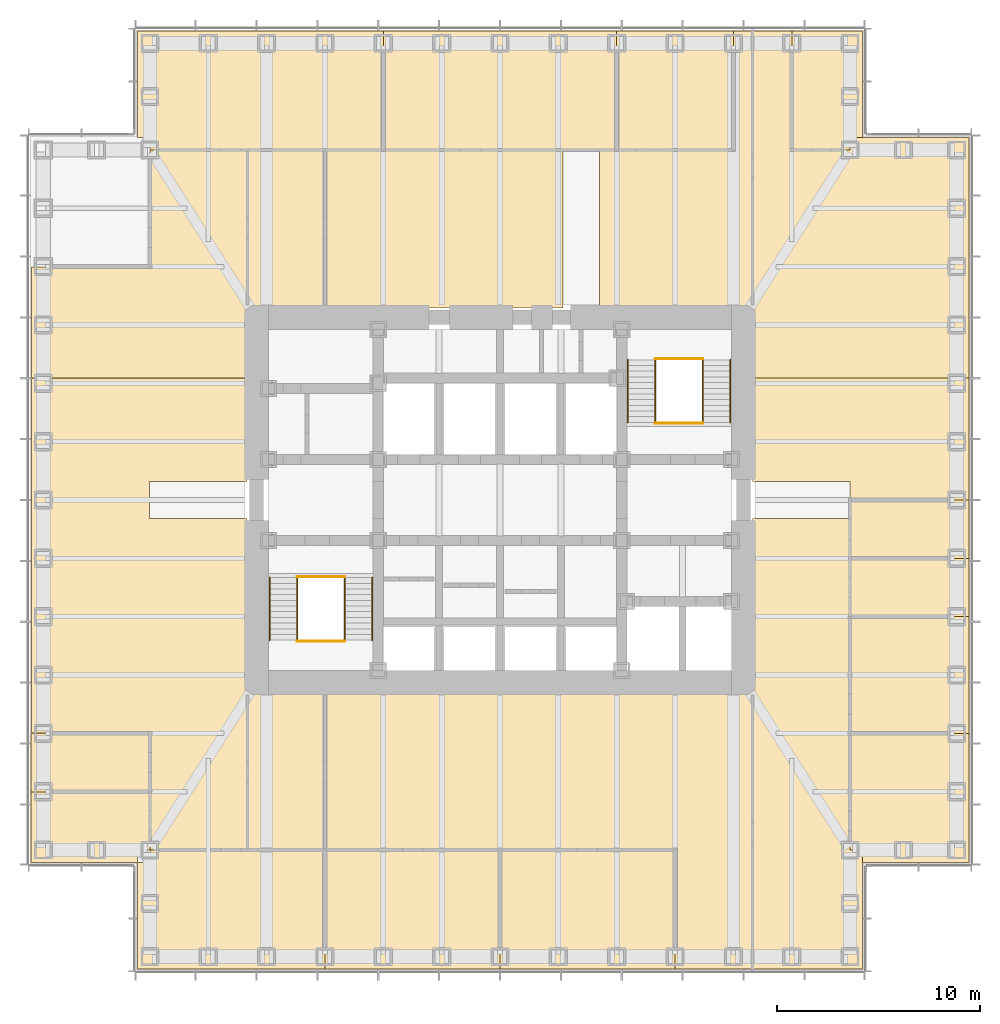
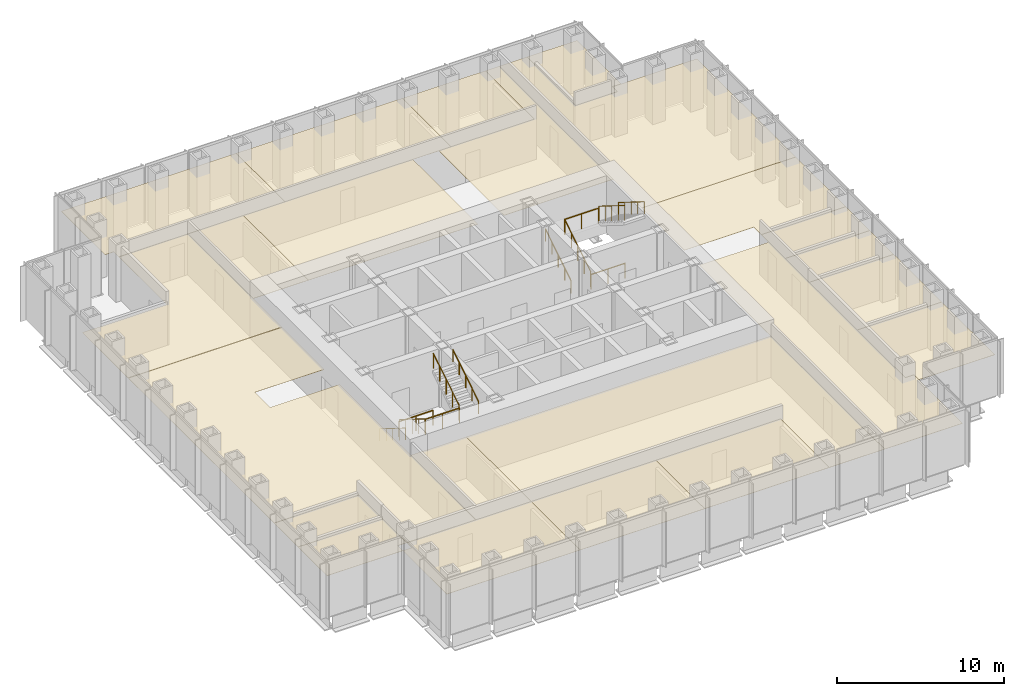
# One storey, part 17 of 17: 23 coverings, 12 railings.
"""IFC4 building model written with IfcOpenShell, lengths in metres."""

from ifc_helpers import new_model, si_unit, direction, frame, origin, origin_2d, place, context, subcontext, project, spatial, polyline, circle, outline, extrude, material, layer, layer_set, type_object, element, save


model = new_model("IFC4")

# Units and contexts
model_context = context("Model", 3, precision=1e-05, world=origin(), true_north=direction((0.0, 1.0)))
body_context = subcontext(model_context, "Body", "Model", "MODEL_VIEW")
ifc_project = project(units=[si_unit("LENGTHUNIT", "METRE"), si_unit("AREAUNIT", "SQUARE_METRE"), si_unit("VOLUMEUNIT", "CUBIC_METRE"), si_unit("PLANEANGLEUNIT", "RADIAN"), si_unit("MASSUNIT", "GRAM", prefix="KILO")], contexts=[model_context])

# Site, building, storey
site_placement = place(None, origin())
site = spatial("IfcSite", under=ifc_project, at=site_placement, CompositionType="ELEMENT")
building_placement = place(site_placement, origin())
building = spatial("IfcBuilding", under=site, at=building_placement, Name="Daluyong Arena Tower", CompositionType="ELEMENT")
storey_placement = place(building_placement, frame((0.0, 0.0, 171.10009765625)))
storey = spatial("IfcBuildingStorey", under=building, at=storey_placement, Name="L38", CompositionType="ELEMENT", Elevation=171.10009765625)

# Coverings
ifc_material_1 = material(Name="Mineral fibre ceiling tile", Category="gypsum board")
ifc_layer = layer(ifc_material_1, 0.02001953125)
ifc_layer_set = layer_set([ifc_layer], Name="Mineral fibre ceiling tile")
covering_type = type_object("IfcCoveringType", Name="Office ceiling", PredefinedType="CEILING", material=ifc_layer_set)
covering_1_placement = place(storey_placement, frame((0.0, 0.0, 2.89990234375)))
element("IfcCovering", 1, at=covering_1_placement, inside=storey, type_object=covering_type, Name="ceiling L38-01", PredefinedType="CEILING", context=body_context, shape_type="SweptSolid", body=[
    extrude(outline(polyline([(38.14990234375, 62.14990234375), (38.14990234375, 56.89990234375), (47.375, 56.89990234375), (47.375, 62.75), (38.75, 62.75), (38.75, 62.14990234375), (38.14990234375, 62.14990234375)])), origin(), (0.0, 0.0, 1.0), 0.02001953125),
])
covering_2_placement = place(storey_placement, frame((0.0, 0.0, 2.89990234375)))
element("IfcCovering", 2, at=covering_2_placement, inside=storey, type_object=covering_type, Name="ceiling L38-02", PredefinedType="CEILING", context=body_context, shape_type="SweptSolid", body=[
    extrude(outline(polyline([(47.375, 62.75), (47.375, 56.89990234375), (56.0, 56.89990234375), (56.0, 62.75), (47.375, 62.75)])), origin(), (0.0, 0.0, 1.0), 0.02001953125),
])
covering_3_placement = place(storey_placement, frame((0.0, 0.0, 2.89990234375)))
element("IfcCovering", 3, at=covering_3_placement, inside=storey, type_object=covering_type, Name="ceiling L38-03", PredefinedType="CEILING", context=body_context, shape_type="SweptSolid", body=[
    extrude(outline(polyline([(56.0, 62.75), (56.0, 56.89990234375), (64.625, 56.89990234375), (64.625, 62.75), (56.0, 62.75)])), origin(), (0.0, 0.0, 1.0), 0.02001953125),
])
covering_4_placement = place(storey_placement, frame((0.0, 0.0, 2.89990234375)))
element("IfcCovering", 4, at=covering_4_placement, inside=storey, type_object=covering_type, Name="ceiling L38-04", PredefinedType="CEILING", context=body_context, shape_type="SweptSolid", body=[
    extrude(outline(polyline([(73.85009765625, 62.14990234375), (79.10009765625, 62.14990234375), (79.10009765625, 68.5), (73.25, 68.5), (73.25, 62.75), (73.85009765625, 62.75), (73.85009765625, 62.14990234375)])), origin(), (0.0, 0.0, 1.0), 0.02001953125),
])
covering_5_placement = place(storey_placement, frame((0.0, 0.0, 2.89990234375)))
element("IfcCovering", 5, at=covering_5_placement, inside=storey, type_object=covering_type, Name="ceiling L38-05", PredefinedType="CEILING", context=body_context, shape_type="SweptSolid", body=[
    extrude(outline(polyline([(73.25, 68.5), (79.10009765625, 68.5), (79.10009765625, 74.25), (73.25, 74.25), (73.25, 68.5)])), origin(), (0.0, 0.0, 1.0), 0.02001953125),
])
covering_6_placement = place(storey_placement, frame((0.0, 0.0, 2.89990234375)))
element("IfcCovering", 6, at=covering_6_placement, inside=storey, type_object=covering_type, Name="ceiling L38-06", PredefinedType="CEILING", context=body_context, shape_type="SweptSolid", body=[
    extrude(outline(polyline([(73.25, 74.25), (79.10009765625, 74.25), (79.10009765625, 77.125), (73.25, 77.125), (73.25, 74.25)])), origin(), (0.0, 0.0, 1.0), 0.02001953125),
])
covering_7_placement = place(storey_placement, frame((0.0, 0.0, 2.89990234375)))
element("IfcCovering", 7, at=covering_7_placement, inside=storey, type_object=covering_type, Name="ceiling L38-07", PredefinedType="CEILING", context=body_context, shape_type="SweptSolid", body=[
    extrude(outline(polyline([(73.25, 77.125), (79.10009765625, 77.125), (79.10009765625, 80.0), (73.25, 80.0), (73.25, 77.125)])), origin(), (0.0, 0.0, 1.0), 0.02001953125),
])
covering_8_placement = place(storey_placement, frame((0.0, 0.0, 2.89990234375)))
element("IfcCovering", 8, at=covering_8_placement, inside=storey, type_object=covering_type, Name="ceiling L38-08", PredefinedType="CEILING", context=body_context, shape_type="SweptSolid", body=[
    extrude(outline(polyline([(50.25, 97.25), (50.25, 103.10009765625), (38.14990234375, 103.10009765625), (38.14990234375, 97.85009765625), (38.75, 97.85009765625), (38.75, 97.25), (50.25, 97.25)])), origin(), (0.0, 0.0, 1.0), 0.02001953125),
])
covering_9_placement = place(storey_placement, frame((0.0, 0.0, 2.89990234375)))
element("IfcCovering", 9, at=covering_9_placement, inside=storey, type_object=covering_type, Name="ceiling L38-09", PredefinedType="CEILING", context=body_context, shape_type="SweptSolid", body=[
    extrude(outline(polyline([(61.75, 97.25), (61.75, 103.10009765625), (50.25, 103.10009765625), (50.25, 97.25), (61.75, 97.25)])), origin(), (0.0, 0.0, 1.0), 0.02001953125),
])
covering_10_placement = place(storey_placement, frame((0.0, 0.0, 2.89990234375)))
element("IfcCovering", 10, at=covering_10_placement, inside=storey, type_object=covering_type, Name="ceiling L38-10", PredefinedType="CEILING", context=body_context, shape_type="SweptSolid", body=[
    extrude(outline(polyline([(67.5, 97.25), (67.5, 103.10009765625), (61.75, 103.10009765625), (61.75, 97.25), (67.5, 97.25)])), origin(), (0.0, 0.0, 1.0), 0.02001953125),
])
covering_11_placement = place(storey_placement, frame((0.0, 0.0, 2.89990234375)))
element("IfcCovering", 11, at=covering_11_placement, inside=storey, type_object=covering_type, Name="ceiling L38-11", PredefinedType="CEILING", context=body_context, shape_type="SweptSolid", body=[
    extrude(outline(polyline([(70.375, 97.25), (73.25, 97.25), (73.25, 97.85009765625), (73.85009765625, 97.85009765625), (73.85009765625, 103.10009765625), (70.375, 103.10009765625), (70.375, 97.25)])), origin(), (0.0, 0.0, 1.0), 0.02001953125),
])
covering_12_placement = place(storey_placement, frame((0.0, 0.0, 2.89990234375)))
element("IfcCovering", 12, at=covering_12_placement, inside=storey, type_object=covering_type, Name="ceiling L38-12", PredefinedType="CEILING", context=body_context, shape_type="SweptSolid", body=[
    extrude(outline(polyline([(32.89990234375, 62.14990234375), (38.14990234375, 62.14990234375), (38.14990234375, 62.75), (38.75, 62.75), (38.75, 65.625), (32.89990234375, 65.625), (32.89990234375, 62.14990234375)])), origin(), (0.0, 0.0, 1.0), 0.02001953125),
])
covering_13_placement = place(storey_placement, frame((0.0, 0.0, 2.89990234375)))
element("IfcCovering", 13, at=covering_13_placement, inside=storey, type_object=covering_type, Name="ceiling L38-13", PredefinedType="CEILING", context=body_context, shape_type="SweptSolid", body=[
    extrude(outline(polyline([(38.75, 68.5), (32.89990234375, 68.5), (32.89990234375, 65.625), (38.75, 65.625), (38.75, 68.5)])), origin(), (0.0, 0.0, 1.0), 0.02001953125),
])
covering_14_placement = place(storey_placement, frame((0.0, 0.0, 2.89990234375)))
element("IfcCovering", 14, at=covering_14_placement, inside=storey, type_object=covering_type, Name="ceiling L38-18", PredefinedType="CEILING", context=body_context, shape_type="SweptSolid", body=[
    extrude(outline(polyline([(47.375, 70.550048828125), (43.550048828125, 70.550048828125), (43.550048828125, 62.75), (47.375, 62.75), (47.375, 70.550048828125)])), origin(), (0.0, 0.0, 1.0), 0.02001953125),
])
covering_15_placement = place(storey_placement, frame((0.0, 0.0, 2.89990234375)))
element("IfcCovering", 15, at=covering_15_placement, inside=storey, type_object=covering_type, Name="ceiling L38-19", PredefinedType="CEILING", context=body_context, shape_type="SweptSolid", body=[
    extrude(outline(polyline([(68.449951171875, 70.550048828125), (47.375, 70.550048828125), (47.375, 62.75), (64.625, 62.75), (64.625, 56.89990234375), (68.449951171875, 56.89990234375), (68.449951171875, 70.550048828125)])), origin(), (0.0, 0.0, 1.0), 0.02001953125),
])
covering_16_placement = place(storey_placement, frame((0.0, 0.0, 2.89990234375)))
element("IfcCovering", 16, at=covering_16_placement, inside=storey, type_object=covering_type, Name="ceiling L38-20", PredefinedType="CEILING", context=body_context, shape_type="SweptSolid", body=[
    extrude(outline(polyline([(43.550048828125, 89.449951171875), (47.375, 89.449951171875), (47.375, 97.25), (43.550048828125, 97.25), (43.550048828125, 89.449951171875)])), origin(), (0.0, 0.0, 1.0), 0.02001953125),
])
covering_17_placement = place(storey_placement, frame((0.0, 0.0, 2.89990234375)))
element("IfcCovering", 17, at=covering_17_placement, inside=storey, type_object=covering_type, Name="ceiling L38-21", PredefinedType="CEILING", context=body_context, shape_type="SweptSolid", body=[
    extrude(outline(polyline([(59.10009765625, 97.25), (47.375, 97.25), (47.375, 89.449951171875), (59.10009765625, 89.449951171875), (59.10009765625, 97.25)])), origin(), (0.0, 0.0, 1.0), 0.02001953125),
])
covering_18_placement = place(storey_placement, frame((0.0, 0.0, 2.89990234375)))
element("IfcCovering", 18, at=covering_18_placement, inside=storey, type_object=covering_type, Name="ceiling L38-22", PredefinedType="CEILING", context=body_context, shape_type="SweptSolid", body=[
    extrude(outline(polyline([(67.5, 97.25), (60.89990234375, 97.25), (60.89990234375, 89.449951171875), (68.449951171875, 89.449951171875), (68.449951171875, 103.10009765625), (67.5, 103.10009765625), (67.5, 97.25)])), origin(), (0.0, 0.0, 1.0), 0.02001953125),
])
covering_19_placement = place(storey_placement, frame((0.0, 0.0, 2.89990234375)))
element("IfcCovering", 19, at=covering_19_placement, inside=storey, type_object=covering_type, Name="ceiling L38-23", PredefinedType="CEILING", context=body_context, shape_type="SweptSolid", body=[
    extrude(outline(polyline([(38.760009765625, 62.760009765625), (43.5400390625, 62.760009765625), (43.5400390625, 79.090087890625), (38.739990234375, 79.090087890625), (38.739990234375, 80.909912109375), (43.5400390625, 80.909912109375), (43.5400390625, 85.989990234375), (32.909912109375, 85.989990234375), (32.909912109375, 68.510009765625), (38.760009765625, 68.510009765625), (38.760009765625, 62.760009765625)])), origin(), (0.0, 0.0, 1.0), 0.02001953125),
])
covering_20_placement = place(storey_placement, frame((0.0, 0.0, 2.89990234375)))
element("IfcCovering", 20, at=covering_20_placement, inside=storey, type_object=covering_type, Name="ceiling L38-24", PredefinedType="CEILING", context=body_context, shape_type="SweptSolid", body=[
    extrude(outline(polyline([(32.909912109375, 86.010009765625), (43.5400390625, 86.010009765625), (43.5400390625, 97.239990234375), (38.760009765625, 97.239990234375), (38.760009765625, 91.489990234375), (32.909912109375, 91.489990234375), (32.909912109375, 86.010009765625)])), origin(), (0.0, 0.0, 1.0), 0.02001953125),
])
covering_21_placement = place(storey_placement, frame((0.0, 0.0, 2.89990234375)))
element("IfcCovering", 21, at=covering_21_placement, inside=storey, type_object=covering_type, Name="ceiling L38-25", PredefinedType="CEILING", context=body_context, shape_type="SweptSolid", body=[
    extrude(outline(polyline([(68.449951171875, 79.10009765625), (68.449951171875, 56.89990234375), (73.85009765625, 56.89990234375), (73.85009765625, 62.75), (73.25, 62.75), (73.25, 79.10009765625), (68.449951171875, 79.10009765625)])), origin(), (0.0, 0.0, 1.0), 0.02001953125),
])
covering_22_placement = place(storey_placement, frame((0.0, 0.0, 2.89990234375)))
element("IfcCovering", 22, at=covering_22_placement, inside=storey, type_object=covering_type, Name="ceiling L38-26", PredefinedType="CEILING", context=body_context, shape_type="SweptSolid", body=[
    extrude(outline(polyline([(79.10009765625, 80.0), (79.10009765625, 86.0), (68.449951171875, 86.0), (68.449951171875, 80.89990234375), (73.25, 80.89990234375), (73.25, 80.0), (79.10009765625, 80.0)])), origin(), (0.0, 0.0, 1.0), 0.02001953125),
])
covering_23_placement = place(storey_placement, frame((0.0, 0.0, 2.89990234375)))
element("IfcCovering", 23, at=covering_23_placement, inside=storey, type_object=covering_type, Name="ceiling L38-27", PredefinedType="CEILING", context=body_context, shape_type="SweptSolid", body=[
    extrude(outline(polyline([(70.375, 103.10009765625), (68.449951171875, 103.10009765625), (68.449951171875, 86.0), (79.10009765625, 86.0), (79.10009765625, 97.85009765625), (73.25, 97.85009765625), (73.25, 97.25), (70.375, 97.25), (70.375, 103.10009765625)])), origin(), (0.0, 0.0, 1.0), 0.02001953125),
])

# Railings
ifc_material_2 = material(Name="Stainless steel handrail", Category="steel")
railing_type_1 = type_object("IfcRailingType", Name="Stair handrail", PredefinedType="HANDRAIL", material=ifc_material_2)
railing_1_placement = place(storey_placement, frame((44.64990234375, 76.175048828125, 0.1748046875)))
element("IfcRailing", 24, at=railing_1_placement, inside=storey, type_object=railing_type_1, Name="exit stair A handrail L38", PredefinedType="HANDRAIL", context=body_context, shape_type="SweptSolid", body=[
    extrude(circle(Radius=0.02392578125, at=origin_2d()), frame((0.0, 0.0, 0.8759765625), z_axis=(0.0, -0.847998304005, 0.529998940003), x_axis=(1.0, 0.0, 0.0)), (0.0, 0.0, 1.0), 3.632080078125),
    extrude(circle(Radius=0.02099609375, at=origin_2d()), origin(), (0.0, 0.0, 1.0), 0.851806640625),
    extrude(circle(Radius=0.02099609375, at=origin_2d()), frame((0.0, -0.77001953125, 0.481201171875)), (0.0, 0.0, 1.0), 0.851806640625),
    extrude(circle(Radius=0.02099609375, at=origin_2d()), frame((0.0, -1.5400390625, 0.96240234375)), (0.0, 0.0, 1.0), 0.851806640625),
    extrude(circle(Radius=0.02099609375, at=origin_2d()), frame((0.0, -2.31005859375, 1.44384765625)), (0.0, 0.0, 1.0), 0.851806640625),
    extrude(circle(Radius=0.02099609375, at=origin_2d()), frame((0.0, -3.080078125, 1.925048828125)), (0.0, 0.0, 1.0), 0.851806640625),
])
for number, where, name in (
    (25, (49.699951171875, 73.094970703125, 2.27490234375), "exit stair A handrail L38"),
    (26, (62.300048828125, 83.824951171875, 0.1748046875), "exit stair B handrail L38"),
):
    element("IfcRailing", number, at=place(storey_placement, frame(where)), inside=storey, type_object=railing_type_1, Name=name, PredefinedType="HANDRAIL", context=body_context, shape_type="SweptSolid", body=[
        extrude(circle(Radius=0.02392578125, at=origin_2d()), frame((0.0, 0.0, 0.8759765625), z_axis=(0.0, 0.847998304005, 0.529998940003), x_axis=(-1.0, 0.0, 0.0)), (0.0, 0.0, 1.0), 3.632080078125),
        extrude(circle(Radius=0.02099609375, at=origin_2d()), origin(), (0.0, 0.0, 1.0), 0.851806640625),
        extrude(circle(Radius=0.02099609375, at=origin_2d()), frame((0.0, 0.77001953125, 0.481201171875)), (0.0, 0.0, 1.0), 0.851806640625),
        extrude(circle(Radius=0.02099609375, at=origin_2d()), frame((0.0, 1.5400390625, 0.96240234375)), (0.0, 0.0, 1.0), 0.851806640625),
        extrude(circle(Radius=0.02099609375, at=origin_2d()), frame((0.0, 2.31005859375, 1.44384765625)), (0.0, 0.0, 1.0), 0.851806640625),
        extrude(circle(Radius=0.02099609375, at=origin_2d()), frame((0.0, 3.080078125, 1.925048828125)), (0.0, 0.0, 1.0), 0.851806640625),
    ])
railing_2_placement = place(storey_placement, frame((67.35009765625, 86.905029296875, 2.27490234375)))
element("IfcRailing", 27, at=railing_2_placement, inside=storey, type_object=railing_type_1, Name="exit stair B handrail L38", PredefinedType="HANDRAIL", context=body_context, shape_type="SweptSolid", body=[
    extrude(circle(Radius=0.02392578125, at=origin_2d()), frame((0.0, 0.0, 0.8759765625), z_axis=(0.0, -0.847998304005, 0.529998940003), x_axis=(1.0, 0.0, 0.0)), (0.0, 0.0, 1.0), 3.632080078125),
    extrude(circle(Radius=0.02099609375, at=origin_2d()), origin(), (0.0, 0.0, 1.0), 0.851806640625),
    extrude(circle(Radius=0.02099609375, at=origin_2d()), frame((0.0, -0.77001953125, 0.481201171875)), (0.0, 0.0, 1.0), 0.851806640625),
    extrude(circle(Radius=0.02099609375, at=origin_2d()), frame((0.0, -1.5400390625, 0.96240234375)), (0.0, 0.0, 1.0), 0.851806640625),
    extrude(circle(Radius=0.02099609375, at=origin_2d()), frame((0.0, -2.31005859375, 1.44384765625)), (0.0, 0.0, 1.0), 0.851806640625),
    extrude(circle(Radius=0.02099609375, at=origin_2d()), frame((0.0, -3.080078125, 1.925048828125)), (0.0, 0.0, 1.0), 0.851806640625),
])
ifc_material_3 = material(Name="Steel balustrade", Category="steel")
railing_type_2 = type_object("IfcRailingType", Name="Stair well guard 1100", PredefinedType="GUARDRAIL", material=ifc_material_3)
railing_3_placement = place(storey_placement, frame((46.0, 76.175048828125, 0.1748046875)))
element("IfcRailing", 28, at=railing_3_placement, inside=storey, type_object=railing_type_2, Name="exit stair A well guard L38", PredefinedType="GUARDRAIL", context=body_context, shape_type="SweptSolid", body=[
    extrude(circle(Radius=0.02392578125, at=origin_2d()), frame((0.0, 0.0, 1.076171875), z_axis=(0.0, -0.847998304005, 0.529998940003), x_axis=(1.0, 0.0, 0.0)), (0.0, 0.0, 1.0), 3.632080078125),
    extrude(circle(Radius=0.02099609375, at=origin_2d()), origin(), (0.0, 0.0, 1.0), 1.052001953125),
    extrude(circle(Radius=0.02099609375, at=origin_2d()), frame((0.0, -0.77001953125, 0.481201171875)), (0.0, 0.0, 1.0), 1.052001953125),
    extrude(circle(Radius=0.02099609375, at=origin_2d()), frame((0.0, -1.5400390625, 0.96240234375)), (0.0, 0.0, 1.0), 1.052001953125),
    extrude(circle(Radius=0.02099609375, at=origin_2d()), frame((0.0, -2.31005859375, 1.44384765625)), (0.0, 0.0, 1.0), 1.052001953125),
    extrude(circle(Radius=0.02099609375, at=origin_2d()), frame((0.0, -3.080078125, 1.925048828125)), (0.0, 0.0, 1.0), 1.052001953125),
])
railing_4_placement = place(storey_placement, frame((48.35009765625, 73.094970703125, 2.27490234375)))
element("IfcRailing", 29, at=railing_4_placement, inside=storey, type_object=railing_type_2, Name="exit stair A well guard L38", PredefinedType="GUARDRAIL", context=body_context, shape_type="SweptSolid", body=[
    extrude(circle(Radius=0.02392578125, at=origin_2d()), frame((0.0, 0.0, 1.076171875), z_axis=(0.0, 0.847998304005, 0.529998940003), x_axis=(-1.0, 0.0, 0.0)), (0.0, 0.0, 1.0), 3.632080078125),
    extrude(circle(Radius=0.02099609375, at=origin_2d()), origin(), (0.0, 0.0, 1.0), 1.052001953125),
    extrude(circle(Radius=0.02099609375, at=origin_2d()), frame((0.0, 0.77001953125, 0.481201171875)), (0.0, 0.0, 1.0), 1.052001953125),
    extrude(circle(Radius=0.02099609375, at=origin_2d()), frame((0.0, 1.5400390625, 0.96240234375)), (0.0, 0.0, 1.0), 1.052001953125),
    extrude(circle(Radius=0.02099609375, at=origin_2d()), frame((0.0, 2.31005859375, 1.44384765625)), (0.0, 0.0, 1.0), 1.052001953125),
    extrude(circle(Radius=0.02099609375, at=origin_2d()), frame((0.0, 3.080078125, 1.925048828125)), (0.0, 0.0, 1.0), 1.052001953125),
])
for number, where, name in (
    (30, (46.0, 73.044921875, 2.099853515625), "exit stair A landing guard L38"),
    (31, (46.0, 76.22509765625, 0.0), "exit stair A floor landing guard L38"),
):
    element("IfcRailing", number, at=place(storey_placement, frame(where)), inside=storey, type_object=railing_type_2, Name=name, PredefinedType="GUARDRAIL", context=body_context, shape_type="SweptSolid", body=[
        extrude(circle(Radius=0.02392578125, at=origin_2d()), frame((0.0, 0.0, 1.076171875), z_axis=(1.0, 0.0, 0.0), x_axis=(0.0, 1.0, 0.0)), (0.0, 0.0, 1.0), 2.35009765625),
        extrude(circle(Radius=0.02099609375, at=origin_2d()), origin(), (0.0, 0.0, 1.0), 1.052001953125),
        extrude(circle(Radius=0.02099609375, at=origin_2d()), frame((1.175048828125, 0.0, 0.0)), (0.0, 0.0, 1.0), 1.052001953125),
        extrude(circle(Radius=0.02099609375, at=origin_2d()), frame((2.35009765625, 0.0, 0.0)), (0.0, 0.0, 1.0), 1.052001953125),
    ])
railing_5_placement = place(storey_placement, frame((63.64990234375, 83.824951171875, 0.1748046875)))
element("IfcRailing", 32, at=railing_5_placement, inside=storey, type_object=railing_type_2, Name="exit stair B well guard L38", PredefinedType="GUARDRAIL", context=body_context, shape_type="SweptSolid", body=[
    extrude(circle(Radius=0.02392578125, at=origin_2d()), frame((0.0, 0.0, 1.076171875), z_axis=(0.0, 0.847998304005, 0.529998940003), x_axis=(-1.0, 0.0, 0.0)), (0.0, 0.0, 1.0), 3.632080078125),
    extrude(circle(Radius=0.02099609375, at=origin_2d()), origin(), (0.0, 0.0, 1.0), 1.052001953125),
    extrude(circle(Radius=0.02099609375, at=origin_2d()), frame((0.0, 0.77001953125, 0.481201171875)), (0.0, 0.0, 1.0), 1.052001953125),
    extrude(circle(Radius=0.02099609375, at=origin_2d()), frame((0.0, 1.5400390625, 0.96240234375)), (0.0, 0.0, 1.0), 1.052001953125),
    extrude(circle(Radius=0.02099609375, at=origin_2d()), frame((0.0, 2.31005859375, 1.44384765625)), (0.0, 0.0, 1.0), 1.052001953125),
    extrude(circle(Radius=0.02099609375, at=origin_2d()), frame((0.0, 3.080078125, 1.925048828125)), (0.0, 0.0, 1.0), 1.052001953125),
])
railing_6_placement = place(storey_placement, frame((66.0, 86.905029296875, 2.27490234375)))
element("IfcRailing", 33, at=railing_6_placement, inside=storey, type_object=railing_type_2, Name="exit stair B well guard L38", PredefinedType="GUARDRAIL", context=body_context, shape_type="SweptSolid", body=[
    extrude(circle(Radius=0.02392578125, at=origin_2d()), frame((0.0, 0.0, 1.076171875), z_axis=(0.0, -0.847998304005, 0.529998940003), x_axis=(1.0, 0.0, 0.0)), (0.0, 0.0, 1.0), 3.632080078125),
    extrude(circle(Radius=0.02099609375, at=origin_2d()), origin(), (0.0, 0.0, 1.0), 1.052001953125),
    extrude(circle(Radius=0.02099609375, at=origin_2d()), frame((0.0, -0.77001953125, 0.481201171875)), (0.0, 0.0, 1.0), 1.052001953125),
    extrude(circle(Radius=0.02099609375, at=origin_2d()), frame((0.0, -1.5400390625, 0.96240234375)), (0.0, 0.0, 1.0), 1.052001953125),
    extrude(circle(Radius=0.02099609375, at=origin_2d()), frame((0.0, -2.31005859375, 1.44384765625)), (0.0, 0.0, 1.0), 1.052001953125),
    extrude(circle(Radius=0.02099609375, at=origin_2d()), frame((0.0, -3.080078125, 1.925048828125)), (0.0, 0.0, 1.0), 1.052001953125),
])
for number, where, name in (
    (34, (63.64990234375, 86.955078125, 2.099853515625), "exit stair B landing guard L38"),
    (35, (63.64990234375, 83.77490234375, 0.0), "exit stair B floor landing guard L38"),
):
    element("IfcRailing", number, at=place(storey_placement, frame(where)), inside=storey, type_object=railing_type_2, Name=name, PredefinedType="GUARDRAIL", context=body_context, shape_type="SweptSolid", body=[
        extrude(circle(Radius=0.02392578125, at=origin_2d()), frame((0.0, 0.0, 1.076171875), z_axis=(1.0, 0.0, 0.0), x_axis=(0.0, 1.0, 0.0)), (0.0, 0.0, 1.0), 2.35009765625),
        extrude(circle(Radius=0.02099609375, at=origin_2d()), origin(), (0.0, 0.0, 1.0), 1.052001953125),
        extrude(circle(Radius=0.02099609375, at=origin_2d()), frame((1.175048828125, 0.0, 0.0)), (0.0, 0.0, 1.0), 1.052001953125),
        extrude(circle(Radius=0.02099609375, at=origin_2d()), frame((2.35009765625, 0.0, 0.0)), (0.0, 0.0, 1.0), 1.052001953125),
    ])

save(model, "model.ifc")
